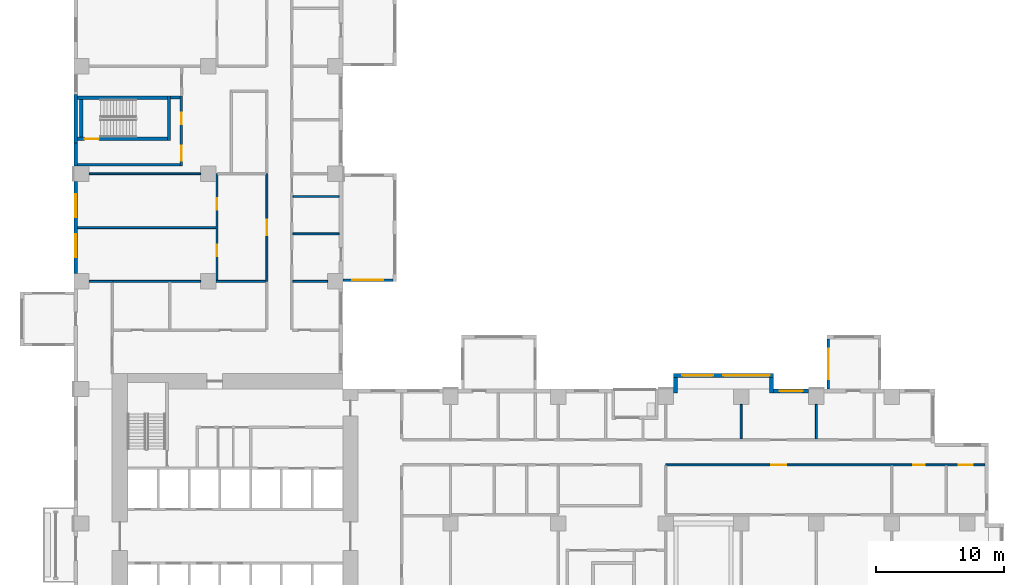
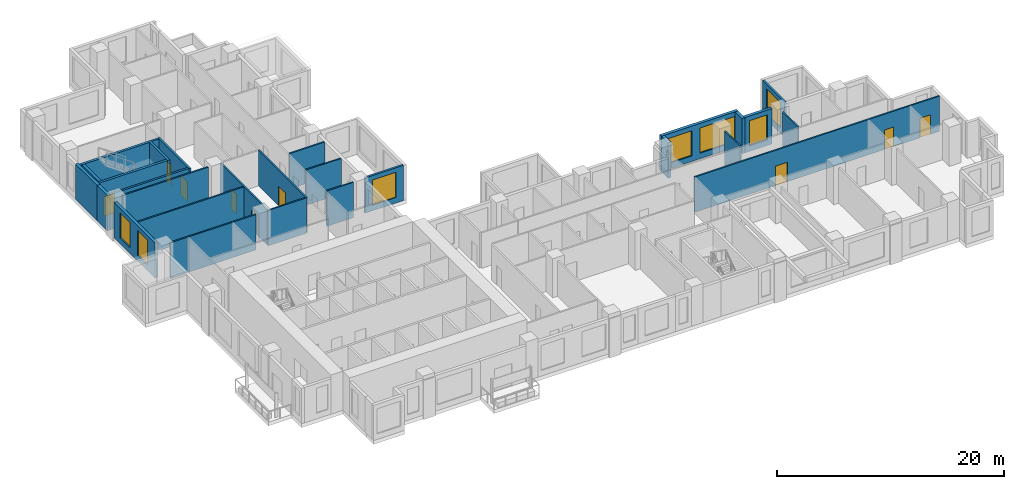
# One storey, part 6 of 14: 29 walls, 9 doors, 7 windows, 16 openings.
"""IFC4 building model written with IfcOpenShell, lengths in metres."""

from ifc_helpers import new_model, si_unit, direction, frame, frame_2d, origin, place, context, subcontext, project, spatial, rectangle, extrude, source, transform, mapped, material, layer, layer_set, type_object, element, fill, save


model = new_model("IFC4")

# Units and contexts
model_context = context("Model", 3, precision=1e-05, world=origin(), true_north=direction((0.0, 1.0)))
body_context = subcontext(model_context, "Body", "Model", "MODEL_VIEW")
ifc_project = project(units=[si_unit("LENGTHUNIT", "METRE"), si_unit("AREAUNIT", "SQUARE_METRE"), si_unit("VOLUMEUNIT", "CUBIC_METRE"), si_unit("PLANEANGLEUNIT", "RADIAN"), si_unit("MASSUNIT", "GRAM", prefix="KILO")], contexts=[model_context])

# Site, building, storey
site_placement = place(None, origin())
site = spatial("IfcSite", under=ifc_project, at=site_placement, CompositionType="ELEMENT")
building_placement = place(site_placement, origin())
building = spatial("IfcBuilding", under=site, at=building_placement, Name="Aurelian Terraces", CompositionType="ELEMENT")
storey_placement = place(building_placement, frame((0.0, 0.0, 90.9)))
storey = spatial("IfcBuildingStorey", under=building, at=storey_placement, Name="L19", CompositionType="ELEMENT", Elevation=90.9)

# Wall, openings, windows
ifc_material_1 = material(Name="Terracotta rainscreen cladding", Category="masonry")
ifc_layer_1 = layer(ifc_material_1, 0.3)
ifc_layer_set_1 = layer_set([ifc_layer_1], Name="EW-300")
wall_type_1 = type_object("IfcWallType", Name="EW-300", PredefinedType="STANDARD", material=ifc_layer_set_1)
wall_1_placement = place(storey_placement, frame((54.6, 22.05, 0.0), z_axis=(0.0, 0.0, 1.0), x_axis=(-1.0, 0.0, 0.0)))
wall_1 = element("IfcWall", 1, at=wall_1_placement, inside=storey, type_object=wall_type_1, Name="Bay wall L19 F07.21", PredefinedType="STANDARD", context=body_context, shape_type="SweptSolid", body=[
    extrude(rectangle(XDim=7.8, YDim=0.3, at=frame_2d((3.9, 0.0))), origin(), (0.0, 0.0, 1.0), 3.8),
])
shared_shape_1 = source(origin(), body_context, "Body", "SweptSolid", [
    extrude(rectangle(XDim=3.6, YDim=2.7, at=frame_2d((1.8, 1.35))), frame((0.0, 0.16, 0.0), z_axis=(0.0, -1.0, 0.0), x_axis=(1.0, 0.0, 0.0)), (0.0, 0.0, 1.0), 0.32),
])
opening_1_placement = place(wall_1_placement, frame((0.3, 0.0, 0.6)))
opening_1 = element("IfcOpeningElement", 2, at=opening_1_placement, cuts=wall_1, Name="Opening W3627", PredefinedType="OPENING", context=body_context, shape_type="MappedRepresentation", body=[
    mapped(shared_shape_1, transform((0.0, 0.0, 0.0), scale=1.0)),
])
shared_shape_2 = source(origin(), body_context, "Body", "SweptSolid", [
    extrude(rectangle(XDim=2.4, YDim=2.7, at=frame_2d((1.2, 1.35))), frame((0.0, 0.16, 0.0), z_axis=(0.0, -1.0, 0.0), x_axis=(1.0, 0.0, 0.0)), (0.0, 0.0, 1.0), 0.32),
])
opening_2_placement = place(wall_1_placement, frame((4.7, 0.0, 0.6)))
opening_2 = element("IfcOpeningElement", 3, at=opening_2_placement, cuts=wall_1, Name="Opening W2427", PredefinedType="OPENING", context=body_context, shape_type="MappedRepresentation", body=[
    mapped(shared_shape_2, transform((0.0, 0.0, 0.0), scale=1.0)),
])
ifc_material_2 = material(Name="Clear glazing", Category="glass")
window_type_1 = type_object("IfcWindowType", Name="W-3600x2700", PartitioningType="SINGLE_PANEL", PredefinedType="WINDOW", material=ifc_material_2)
shared_shape_3 = source(origin(), body_context, "Body", "SweptSolid", [
    extrude(rectangle(XDim=3.6, YDim=2.7, at=frame_2d((1.8, 1.35))), frame((0.0, 0.03, 0.0), z_axis=(0.0, -1.0, 0.0), x_axis=(1.0, 0.0, 0.0)), (0.0, 0.0, 1.0), 0.06),
])
window_1_placement = place(opening_1_placement, origin())
window_1 = element("IfcWindow", 4, at=window_1_placement, inside=storey, type_object=window_type_1, Name="Window L19 L19-F07-21-0", OverallHeight=2.7, OverallWidth=3.6, PartitioningType="SINGLE_PANEL", PredefinedType="WINDOW", context=body_context, shape_type="MappedRepresentation", body=[
    mapped(shared_shape_3, transform((0.0, 0.0, 0.0), scale=1.0)),
])
fill(opening_1, window_1)
window_type_2 = type_object("IfcWindowType", Name="W-2400x2700", PartitioningType="SINGLE_PANEL", PredefinedType="WINDOW", material=ifc_material_2)
shared_shape_4 = source(origin(), body_context, "Body", "SweptSolid", [
    extrude(rectangle(XDim=2.4, YDim=2.7, at=frame_2d((1.2, 1.35))), frame((0.0, 0.03, 0.0), z_axis=(0.0, -1.0, 0.0), x_axis=(1.0, 0.0, 0.0)), (0.0, 0.0, 1.0), 0.06),
])
window_2_placement = place(opening_2_placement, origin())
window_2 = element("IfcWindow", 5, at=window_2_placement, inside=storey, type_object=window_type_2, Name="Window L19 L19-F07-21-1", OverallHeight=2.7, OverallWidth=2.4, PartitioningType="SINGLE_PANEL", PredefinedType="WINDOW", context=body_context, shape_type="MappedRepresentation", body=[
    mapped(shared_shape_4, transform((0.0, 0.0, 0.0), scale=1.0)),
])
fill(opening_2, window_2)

shared_shape_5 = source(origin(), body_context, "Body", "SweptSolid", [
    extrude(rectangle(XDim=7.2, YDim=0.3, at=frame_2d((3.6, 0.0))), origin(), (0.0, 0.0, 1.0), 3.8),
])
wall_2_placement = place(storey_placement, frame((0.15, 37.2, 0.0), z_axis=(0.0, 0.0, 1.0), x_axis=(0.0, -1.0, 0.0)))
wall_2 = element("IfcWall", 6, at=wall_2_placement, inside=storey, type_object=wall_type_1, Name="External wall L19 F14.35", PredefinedType="STANDARD", context=body_context, shape_type="MappedRepresentation", body=[
    mapped(shared_shape_5, transform((0.0, 0.0, 0.0), scale=1.0)),
])
shared_shape_6 = source(origin(), body_context, "Body", "SweptSolid", [
    extrude(rectangle(XDim=1.8, YDim=2.7, at=frame_2d((0.9, 1.35))), frame((0.0, 0.16, 0.0), z_axis=(0.0, -1.0, 0.0), x_axis=(1.0, 0.0, 0.0)), (0.0, 0.0, 1.0), 0.32),
])
opening_3_placement = place(wall_2_placement, frame((1.0075, 0.0, 0.6)))
opening_3 = element("IfcOpeningElement", 7, at=opening_3_placement, cuts=wall_2, Name="Opening W1827", PredefinedType="OPENING", context=body_context, shape_type="MappedRepresentation", body=[
    mapped(shared_shape_6, transform((0.0, 0.0, 0.0), scale=1.0)),
])
opening_4_placement = place(wall_2_placement, frame((4.1037, 0.0, 0.6)))
opening_4 = element("IfcOpeningElement", 8, at=opening_4_placement, cuts=wall_2, Name="Opening W1827", PredefinedType="OPENING", context=body_context, shape_type="MappedRepresentation", body=[
    mapped(shared_shape_6, transform((0.0, 0.0, 0.0), scale=1.0)),
])
window_type_3 = type_object("IfcWindowType", Name="W-1800x2700", PartitioningType="SINGLE_PANEL", PredefinedType="WINDOW", material=ifc_material_2)
shared_shape_7 = source(origin(), body_context, "Body", "SweptSolid", [
    extrude(rectangle(XDim=1.8, YDim=2.7, at=frame_2d((0.9, 1.35))), frame((0.0, 0.03, 0.0), z_axis=(0.0, -1.0, 0.0), x_axis=(1.0, 0.0, 0.0)), (0.0, 0.0, 1.0), 0.06),
])
window_3_placement = place(opening_3_placement, origin())
window_3 = element("IfcWindow", 9, at=window_3_placement, inside=storey, type_object=window_type_3, Name="Window L19 L19-F14-35-4", OverallHeight=2.7, OverallWidth=1.8, PartitioningType="SINGLE_PANEL", PredefinedType="WINDOW", context=body_context, shape_type="MappedRepresentation", body=[
    mapped(shared_shape_7, transform((0.0, 0.0, 0.0), scale=1.0)),
])
fill(opening_3, window_3)
window_4_placement = place(opening_4_placement, origin())
window_4 = element("IfcWindow", 10, at=window_4_placement, inside=storey, type_object=window_type_3, Name="Window L19 L19-F14-35-G5-194", OverallHeight=2.7, OverallWidth=1.8, PartitioningType="SINGLE_PANEL", PredefinedType="WINDOW", context=body_context, shape_type="MappedRepresentation", body=[
    mapped(shared_shape_7, transform((0.0, 0.0, 0.0), scale=1.0)),
])
fill(opening_4, window_4)

# Wall, opening, window
shared_shape_8 = source(origin(), body_context, "Body", "SweptSolid", [
    extrude(rectangle(XDim=2.76, YDim=0.3, at=frame_2d((1.38, 0.0))), origin(), (0.0, 0.0, 1.0), 3.8),
])
wall_3_placement = place(storey_placement, frame((57.36, 20.85, 0.0), z_axis=(0.0, 0.0, 1.0), x_axis=(-1.0, 0.0, 0.0)))
wall_3 = element("IfcWall", 11, at=wall_3_placement, inside=storey, type_object=wall_type_1, Name="External wall L19 F07.20", PredefinedType="STANDARD", context=body_context, shape_type="MappedRepresentation", body=[
    mapped(shared_shape_8, transform((0.0, 0.0, 0.0), scale=1.0)),
])
opening_5_placement = place(wall_3_placement, frame((0.48, 0.0, 0.6)))
opening_5 = element("IfcOpeningElement", 12, at=opening_5_placement, cuts=wall_3, Name="Opening W1827", PredefinedType="OPENING", context=body_context, shape_type="MappedRepresentation", body=[
    mapped(shared_shape_6, transform((0.0, 0.0, 0.0), scale=1.0)),
])
window_5_placement = place(opening_5_placement, origin())
window_5 = element("IfcWindow", 13, at=window_5_placement, inside=storey, type_object=window_type_3, Name="Window L19 L19-F07-20-P2", OverallHeight=2.7, OverallWidth=1.8, PartitioningType="SINGLE_PANEL", PredefinedType="WINDOW", context=body_context, shape_type="MappedRepresentation", body=[
    mapped(shared_shape_7, transform((0.0, 0.0, 0.0), scale=1.0)),
])
fill(opening_5, window_5)

# Walls
shared_shape_9 = source(origin(), body_context, "Body", "SweptSolid", [
    extrude(rectangle(XDim=1.2, YDim=0.3, at=frame_2d((0.6, 0.0))), origin(), (0.0, 0.0, 1.0), 3.8),
])
for number, where, z_axis, x_axis, name in (
    (14, (54.45, 20.7, 0.0), (0.0, 0.0, 1.0), (0.0, 1.0, 0.0), "Bay return L19 F07.21.1"),
    (15, (46.95, 20.7, 0.0), (0.0, 0.0, 1.0), (0.0, 1.0, 0.0), "Bay return L19 F07.21.2"),
):
    element("IfcWall", number, at=place(storey_placement, frame(where, z_axis=z_axis, x_axis=x_axis)), inside=storey, type_object=wall_type_1, Name=name, PredefinedType="STANDARD", context=body_context, shape_type="MappedRepresentation", body=[
        mapped(shared_shape_9, transform((0.0, 0.0, 0.0), scale=1.0)),
    ])
ifc_material_3 = material(Name="Concrete fc' 40 MPa", Category="concrete")
ifc_layer_2 = layer(ifc_material_3, 0.3)
ifc_layer_set_2 = layer_set([ifc_layer_2], Name="STAIR BAY WALL 300")
wall_type_2 = type_object("IfcWallType", Name="STAIR BAY WALL 300", PredefinedType="SOLIDWALL", material=ifc_layer_set_2)
shared_shape_10 = source(origin(), body_context, "Body", "SweptSolid", [
    extrude(rectangle(XDim=3.8, YDim=0.3, at=frame_2d((1.9, 0.0))), origin(), (0.0, 0.0, 1.0), 3.8),
])
wall_4_placement = place(storey_placement, frame((0.15, 44.0, 0.0), z_axis=(0.0, 0.0, 1.0), x_axis=(0.0, -1.0, 0.0)))
element("IfcWall", 16, at=wall_4_placement, inside=storey, type_object=wall_type_2, Name="Stair bay wall L19 F14.35", PredefinedType="SOLIDWALL", context=body_context, shape_type="MappedRepresentation", body=[
    mapped(shared_shape_10, transform((0.0, 0.0, 0.0), scale=1.0)),
])
shared_shape_11 = source(origin(), body_context, "Body", "SweptSolid", [
    extrude(rectangle(XDim=1.8, YDim=0.3, at=frame_2d((0.9, 0.0))), origin(), (0.0, 0.0, 1.0), 3.8),
])
wall_5_placement = place(storey_placement, frame((0.15, 40.2, 0.0), z_axis=(0.0, 0.0, 1.0), x_axis=(0.0, -1.0, 0.0)))
element("IfcWall", 17, at=wall_5_placement, inside=storey, type_object=wall_type_1, Name="External wall L19 F14.35", PredefinedType="STANDARD", context=body_context, shape_type="MappedRepresentation", body=[
    mapped(shared_shape_11, transform((0.0, 0.0, 0.0), scale=1.0)),
])

# Wall, opening, window
ifc_layer_3 = layer(ifc_material_3, 0.2)
ifc_layer_set_3 = layer_set([ifc_layer_3], Name="BOX BEARING WALL 200")
wall_type_3 = type_object("IfcWallType", Name="BOX BEARING WALL 200", PredefinedType="SOLIDWALL", material=ifc_layer_set_3)
shared_shape_12 = source(origin(), body_context, "Body", "SweptSolid", [
    extrude(rectangle(XDim=3.9, YDim=0.2, at=frame_2d((1.95, 0.0))), origin(), (0.0, 0.0, 1.0), 3.79),
])
wall_6_placement = place(storey_placement, frame((58.9, 21.0, 0.0), z_axis=(0.0, 0.0, 1.0), x_axis=(0.0, 1.0, 0.0)))
wall_6 = element("IfcWall", 18, at=wall_6_placement, inside=storey, type_object=wall_type_3, Name="Box return L19 J26.2", PredefinedType="SOLIDWALL", context=body_context, shape_type="MappedRepresentation", body=[
    mapped(shared_shape_12, transform((0.0, 0.0, 0.0), scale=1.0)),
])
shared_shape_13 = source(origin(), body_context, "Body", "SweptSolid", [
    extrude(rectangle(XDim=2.4, YDim=2.7, at=frame_2d((1.2, 1.35))), frame((0.0, 0.11, 0.0), z_axis=(0.0, -1.0, 0.0), x_axis=(1.0, 0.0, 0.0)), (0.0, 0.0, 1.0), 0.22),
])
opening_6_placement = place(wall_6_placement, frame((0.75, 0.0, 0.6)))
opening_6 = element("IfcOpeningElement", 19, at=opening_6_placement, cuts=wall_6, Name="Opening W2427", PredefinedType="OPENING", context=body_context, shape_type="MappedRepresentation", body=[
    mapped(shared_shape_13, transform((0.0, 0.0, 0.0), scale=1.0)),
])
window_6_placement = place(opening_6_placement, origin())
window_6 = element("IfcWindow", 20, at=window_6_placement, inside=storey, type_object=window_type_2, Name="Window L19 J26-S2", OverallHeight=2.7, OverallWidth=2.4, PartitioningType="SINGLE_PANEL", PredefinedType="WINDOW", context=body_context, shape_type="MappedRepresentation", body=[
    mapped(shared_shape_4, transform((0.0, 0.0, 0.0), scale=1.0)),
])
fill(opening_6, window_6)

wall_7_placement = place(storey_placement, frame((21.0, 29.5, 0.0), z_axis=(0.0, 0.0, 1.0), x_axis=(1.0, 0.0, 0.0)))
wall_7 = element("IfcWall", 21, at=wall_7_placement, inside=storey, type_object=wall_type_3, Name="Box return L19 J27.1", PredefinedType="SOLIDWALL", context=body_context, shape_type="MappedRepresentation", body=[
    mapped(shared_shape_12, transform((0.0, 0.0, 0.0), scale=1.0)),
])
opening_7_placement = place(wall_7_placement, frame((0.75, 0.0, 0.6)))
opening_7 = element("IfcOpeningElement", 22, at=opening_7_placement, cuts=wall_7, Name="Opening W2427", PredefinedType="OPENING", context=body_context, shape_type="MappedRepresentation", body=[
    mapped(shared_shape_13, transform((0.0, 0.0, 0.0), scale=1.0)),
])
window_7_placement = place(opening_7_placement, origin())
window_7 = element("IfcWindow", 23, at=window_7_placement, inside=storey, type_object=window_type_2, Name="Window L19 J27-S1", OverallHeight=2.7, OverallWidth=2.4, PartitioningType="SINGLE_PANEL", PredefinedType="WINDOW", context=body_context, shape_type="MappedRepresentation", body=[
    mapped(shared_shape_4, transform((0.0, 0.0, 0.0), scale=1.0)),
])
fill(opening_7, window_7)

# Wall, opening, door
ifc_layer_4 = layer(ifc_material_3, 0.25)
ifc_layer_set_4 = layer_set([ifc_layer_4], Name="Stair enclosure wall 250")
wall_type_4 = type_object("IfcWallType", Name="Stair enclosure wall 250", PredefinedType="SOLIDWALL", material=ifc_layer_set_4)
shared_shape_14 = source(origin(), body_context, "Body", "SweptSolid", [
    extrude(rectangle(XDim=7.0, YDim=0.25, at=frame_2d((3.5, 0.0))), origin(), (0.0, 0.0, 1.0), 3.8),
])
wall_8_placement = place(storey_placement, frame((0.3, 40.525, 0.0), z_axis=(0.0, 0.0, 1.0), x_axis=(1.0, 0.0, 0.0)))
wall_8 = element("IfcWall", 24, at=wall_8_placement, inside=storey, type_object=wall_type_4, Name="L19 core wall ST-S3-W", PredefinedType="SOLIDWALL", context=body_context, shape_type="MappedRepresentation", body=[
    mapped(shared_shape_14, transform((0.0, 0.0, 0.0), scale=1.0)),
])
shared_shape_15 = source(origin(), body_context, "Body", "SweptSolid", [
    extrude(rectangle(XDim=1.1, YDim=2.1, at=frame_2d((0.55, 1.05))), frame((0.0, 0.135, 0.0), z_axis=(0.0, -1.0, 0.0), x_axis=(1.0, 0.0, 0.0)), (0.0, 0.0, 1.0), 0.27),
])
opening_8_placement = place(wall_8_placement, frame((0.55, 0.0, 0.0)))
opening_8 = element("IfcOpeningElement", 25, at=opening_8_placement, cuts=wall_8, Name="Opening 62218", PredefinedType="OPENING", context=body_context, shape_type="MappedRepresentation", body=[
    mapped(shared_shape_15, transform((0.0, 0.0, 0.0), scale=1.0)),
])
ifc_material_4 = material(Name="Steel door leaf", Category="steel")
door_type_1 = type_object("IfcDoorType", Name="Core fire door 1100x2100", OperationType="SINGLE_SWING_LEFT", PredefinedType="DOOR", material=ifc_material_4)
shared_shape_16 = source(origin(), body_context, "Body", "SweptSolid", [
    extrude(rectangle(XDim=1.1, YDim=2.1, at=frame_2d((0.55, 1.05))), frame((0.0, 0.025, 0.0), z_axis=(0.0, -1.0, 0.0), x_axis=(1.0, 0.0, 0.0)), (0.0, 0.0, 1.0), 0.05),
])
door_1_placement = place(opening_8_placement, origin())
door_1 = element("IfcDoor", 26, at=door_1_placement, inside=storey, type_object=door_type_1, Name="Stair door 62218", OperationType="SINGLE_SWING_LEFT", OverallHeight=2.1, OverallWidth=1.1, PredefinedType="DOOR", context=body_context, shape_type="MappedRepresentation", body=[
    mapped(shared_shape_16, transform((0.0, 0.0, 0.0), scale=1.0)),
])
fill(opening_8, door_1)

# Walls
wall_9_placement = place(storey_placement, frame((0.3, 43.725, 0.0), z_axis=(0.0, 0.0, 1.0), x_axis=(1.0, 0.0, 0.0)))
element("IfcWall", 27, at=wall_9_placement, inside=storey, type_object=wall_type_4, Name="L19 core wall ST-S3-E", PredefinedType="SOLIDWALL", context=body_context, shape_type="MappedRepresentation", body=[
    mapped(shared_shape_14, transform((0.0, 0.0, 0.0), scale=1.0)),
])
shared_shape_17 = source(origin(), body_context, "Body", "SweptSolid", [
    extrude(rectangle(XDim=3.45, YDim=0.25, at=frame_2d((1.725, 0.0))), origin(), (0.0, 0.0, 1.0), 3.8),
])
wall_10_placement = place(storey_placement, frame((7.425, 40.4, 0.0), z_axis=(0.0, 0.0, 1.0), x_axis=(0.0, 1.0, 0.0)))
element("IfcWall", 28, at=wall_10_placement, inside=storey, type_object=wall_type_4, Name="L19 core wall ST-S3-N", PredefinedType="SOLIDWALL", context=body_context, shape_type="MappedRepresentation", body=[
    mapped(shared_shape_17, transform((0.0, 0.0, 0.0), scale=1.0)),
])
shared_shape_18 = source(origin(), body_context, "Body", "SweptSolid", [
    extrude(rectangle(XDim=2.95, YDim=0.25, at=frame_2d((1.475, 0.0))), origin(), (0.0, 0.0, 1.0), 3.8),
])
wall_11_placement = place(storey_placement, frame((0.575, 40.65, 0.0), z_axis=(0.0, 0.0, 1.0), x_axis=(0.0, 1.0, 0.0)))
element("IfcWall", 29, at=wall_11_placement, inside=storey, type_object=wall_type_4, Name="L19 core wall ST-S3-SS", PredefinedType="SOLIDWALL", context=body_context, shape_type="MappedRepresentation", body=[
    mapped(shared_shape_18, transform((0.0, 0.0, 0.0), scale=1.0)),
])
ifc_material_5 = material(Name="Gypsum board on steel studs", Category="steel")
ifc_layer_5 = layer(ifc_material_5, 0.2)
ifc_layer_set_5 = layer_set([ifc_layer_5], Name="Core partition 200")
wall_type_5 = type_object("IfcWallType", Name="Core partition 200", PredefinedType="PARTITIONING", material=ifc_layer_set_5)
shared_shape_19 = source(origin(), body_context, "Body", "SweptSolid", [
    extrude(rectangle(XDim=8.0, YDim=0.2, at=frame_2d((4.0, 0.0))), origin(), (0.0, 0.0, 1.0), 3.8),
])
wall_12_placement = place(storey_placement, frame((0.3, 38.5, 0.0), z_axis=(0.0, 0.0, 1.0), x_axis=(1.0, 0.0, 0.0)))
element("IfcWall", 30, at=wall_12_placement, inside=storey, type_object=wall_type_5, Name="L19 core wall ST-S3-VW", PredefinedType="PARTITIONING", context=body_context, shape_type="MappedRepresentation", body=[
    mapped(shared_shape_19, transform((0.0, 0.0, 0.0), scale=1.0)),
])

# Wall, openings, doors
shared_shape_20 = source(origin(), body_context, "Body", "SweptSolid", [
    extrude(rectangle(XDim=5.45, YDim=0.2, at=frame_2d((2.725, 0.0))), origin(), (0.0, 0.0, 1.0), 3.8),
])
wall_13_placement = place(storey_placement, frame((8.4, 38.4, 0.0), z_axis=(0.0, 0.0, 1.0), x_axis=(0.0, 1.0, 0.0)))
wall_13 = element("IfcWall", 31, at=wall_13_placement, inside=storey, type_object=wall_type_5, Name="L19 core wall ST-S3-BN", PredefinedType="PARTITIONING", context=body_context, shape_type="MappedRepresentation", body=[
    mapped(shared_shape_20, transform((0.0, 0.0, 0.0), scale=1.0)),
])
shared_shape_21 = source(origin(), body_context, "Body", "SweptSolid", [
    extrude(rectangle(XDim=1.2, YDim=2.1, at=frame_2d((0.6, 1.05))), frame((0.0, 0.11, 0.0), z_axis=(0.0, -1.0, 0.0), x_axis=(1.0, 0.0, 0.0)), (0.0, 0.0, 1.0), 0.22),
])
opening_9_placement = place(wall_13_placement, frame((0.4, 0.0, 0.0)))
opening_9 = element("IfcOpeningElement", 32, at=opening_9_placement, cuts=wall_13, Name="Opening 62219", PredefinedType="OPENING", context=body_context, shape_type="MappedRepresentation", body=[
    mapped(shared_shape_21, transform((0.0, 0.0, 0.0), scale=1.0)),
])
shared_shape_22 = source(origin(), body_context, "Body", "SweptSolid", [
    extrude(rectangle(XDim=0.9, YDim=2.1, at=frame_2d((0.45, 1.05))), frame((0.0, 0.11, 0.0), z_axis=(0.0, -1.0, 0.0), x_axis=(1.0, 0.0, 0.0)), (0.0, 0.0, 1.0), 0.22),
])
opening_10_placement = place(wall_13_placement, frame((3.25, 0.0, 0.0)))
opening_10 = element("IfcOpeningElement", 33, at=opening_10_placement, cuts=wall_13, Name="Opening 62220", PredefinedType="OPENING", context=body_context, shape_type="MappedRepresentation", body=[
    mapped(shared_shape_22, transform((0.0, 0.0, 0.0), scale=1.0)),
])
door_type_2 = type_object("IfcDoorType", Name="Core riser door 900x2100", OperationType="SINGLE_SWING_LEFT", PredefinedType="DOOR", material=ifc_material_4)
shared_shape_23 = source(origin(), body_context, "Body", "SweptSolid", [
    extrude(rectangle(XDim=0.9, YDim=2.1, at=frame_2d((0.45, 1.05))), frame((0.0, 0.025, 0.0), z_axis=(0.0, -1.0, 0.0), x_axis=(1.0, 0.0, 0.0)), (0.0, 0.0, 1.0), 0.05),
])
door_2_placement = place(opening_10_placement, origin())
door_2 = element("IfcDoor", 34, at=door_2_placement, inside=storey, type_object=door_type_2, Name="Riser door 62220", OperationType="SINGLE_SWING_LEFT", OverallHeight=2.1, OverallWidth=0.9, PredefinedType="DOOR", context=body_context, shape_type="MappedRepresentation", body=[
    mapped(shared_shape_23, transform((0.0, 0.0, 0.0), scale=1.0)),
])
fill(opening_10, door_2)
door_type_3 = type_object("IfcDoorType", Name="Core fire door 1200x2100 right", OperationType="SINGLE_SWING_RIGHT", PredefinedType="DOOR", material=ifc_material_4)
shared_shape_24 = source(origin(), body_context, "Body", "SweptSolid", [
    extrude(rectangle(XDim=1.2, YDim=2.1, at=frame_2d((0.6, 1.05))), frame((0.0, 0.025, 0.0), z_axis=(0.0, -1.0, 0.0), x_axis=(1.0, 0.0, 0.0)), (0.0, 0.0, 1.0), 0.05),
])
door_3_placement = place(opening_9_placement, origin())
door_3 = element("IfcDoor", 35, at=door_3_placement, inside=storey, type_object=door_type_3, Name="Vestibule door 62219", OperationType="SINGLE_SWING_RIGHT", OverallHeight=2.1, OverallWidth=1.2, PredefinedType="DOOR", context=body_context, shape_type="MappedRepresentation", body=[
    mapped(shared_shape_24, transform((0.0, 0.0, 0.0), scale=1.0)),
])
fill(opening_9, door_3)

# Walls
shared_shape_25 = source(origin(), body_context, "Body", "SweptSolid", [
    extrude(rectangle(XDim=0.75, YDim=0.2, at=frame_2d((0.375, 0.0))), origin(), (0.0, 0.0, 1.0), 3.8),
])
wall_14_placement = place(storey_placement, frame((7.55, 43.75, 0.0), z_axis=(0.0, 0.0, 1.0), x_axis=(1.0, 0.0, 0.0)))
element("IfcWall", 36, at=wall_14_placement, inside=storey, type_object=wall_type_5, Name="L19 core wall ST-S3-RE", PredefinedType="PARTITIONING", context=body_context, shape_type="MappedRepresentation", body=[
    mapped(shared_shape_25, transform((0.0, 0.0, 0.0), scale=1.0)),
])
ifc_layer_6 = layer(ifc_material_5, 0.15)
ifc_layer_set_6 = layer_set([ifc_layer_6], Name="Partition 150")
wall_type_6 = type_object("IfcWallType", Name="Partition 150", PredefinedType="PARTITIONING", material=ifc_layer_set_6)
shared_shape_26 = source(origin(), body_context, "Body", "SweptSolid", [
    extrude(rectangle(XDim=8.702, YDim=0.15, at=frame_2d((4.351, 0.0))), origin(), (0.0, 0.0, 1.0), 3.8),
])
wall_15_placement = place(storey_placement, frame((9.901, 37.8, 0.0), z_axis=(0.0, 0.0, 1.0), x_axis=(-1.0, 0.0, 0.0)))
element("IfcWall", 37, at=wall_15_placement, inside=storey, type_object=wall_type_6, Name="Partition", PredefinedType="PARTITIONING", context=body_context, shape_type="MappedRepresentation", body=[
    mapped(shared_shape_26, transform((0.0, 0.0, 0.0), scale=1.0)),
])
shared_shape_27 = source(origin(), body_context, "Body", "SweptSolid", [
    extrude(rectangle(XDim=3.6, YDim=0.15, at=frame_2d((1.8, 0.0))), origin(), (0.0, 0.0, 1.0), 3.8),
])
for number, where, z_axis, x_axis, name in (
    (38, (17.1, 33.1133, 0.0), (0.0, 0.0, 1.0), (1.0, 0.0, 0.0), "Partition"),
    (39, (17.1, 36.024, 0.0), (0.0, 0.0, 1.0), (1.0, 0.0, 0.0), "Partition"),
):
    element("IfcWall", number, at=place(storey_placement, frame(where, z_axis=z_axis, x_axis=x_axis)), inside=storey, type_object=wall_type_6, Name=name, PredefinedType="PARTITIONING", context=body_context, shape_type="MappedRepresentation", body=[
        mapped(shared_shape_27, transform((0.0, 0.0, 0.0), scale=1.0)),
    ])
shared_shape_28 = source(origin(), body_context, "Body", "SweptSolid", [
    extrude(rectangle(XDim=2.701, YDim=0.15, at=frame_2d((1.3505, 0.0))), origin(), (0.0, 0.0, 1.0), 3.8),
])
for number, where, z_axis, x_axis, name in (
    (40, (52.08, 19.801, 0.0), (0.0, 0.0, 1.0), (0.0, -1.0, 0.0), "Partition"),
    (41, (57.96, 17.1, 0.0), (0.0, 0.0, 1.0), (0.0, 1.0, 0.0), "Partition"),
    (42, (19.801, 29.4, 0.0), (0.0, 0.0, 1.0), (-1.0, 0.0, 0.0), "Partition"),
):
    element("IfcWall", number, at=place(storey_placement, frame(where, z_axis=z_axis, x_axis=x_axis)), inside=storey, type_object=wall_type_6, Name=name, PredefinedType="PARTITIONING", context=body_context, shape_type="MappedRepresentation", body=[
        mapped(shared_shape_28, transform((0.0, 0.0, 0.0), scale=1.0)),
    ])

# Wall, openings, doors
shared_shape_29 = source(origin(), body_context, "Body", "SweptSolid", [
    extrude(rectangle(XDim=8.4, YDim=0.15, at=frame_2d((4.2, 0.0))), origin(), (0.0, 0.0, 1.0), 3.8),
])
wall_16_placement = place(storey_placement, frame((11.175, 29.4, 0.0), z_axis=(0.0, 0.0, 1.0), x_axis=(0.0, 1.0, 0.0)))
wall_16 = element("IfcWall", 43, at=wall_16_placement, inside=storey, type_object=wall_type_6, Name="Partition", PredefinedType="PARTITIONING", context=body_context, shape_type="MappedRepresentation", body=[
    mapped(shared_shape_29, transform((0.0, 0.0, 0.0), scale=1.0)),
])
shared_shape_30 = source(origin(), body_context, "Body", "SweptSolid", [
    extrude(rectangle(XDim=0.9, YDim=2.1, at=frame_2d((0.45, 1.05))), frame((0.0, 0.085, 0.0), z_axis=(0.0, -1.0, 0.0), x_axis=(1.0, 0.0, 0.0)), (0.0, 0.0, 1.0), 0.17),
])
opening_11_placement = place(wall_16_placement, frame((1.9625, 0.0, 0.0)))
opening_11 = element("IfcOpeningElement", 44, at=opening_11_placement, cuts=wall_16, Name="Opening 719034", PredefinedType="OPENING", context=body_context, shape_type="MappedRepresentation", body=[
    mapped(shared_shape_30, transform((0.0, 0.0, 0.0), scale=1.0)),
])
opening_12_placement = place(wall_16_placement, frame((5.5875, 0.0, 0.0)))
opening_12 = element("IfcOpeningElement", 45, at=opening_12_placement, cuts=wall_16, Name="Opening 719035", PredefinedType="OPENING", context=body_context, shape_type="MappedRepresentation", body=[
    mapped(shared_shape_30, transform((0.0, 0.0, 0.0), scale=1.0)),
])
ifc_material_6 = material(Name="Timber door leaf", Category="wood")
door_type_4 = type_object("IfcDoorType", Name="Room door 900x2100 right", OperationType="SINGLE_SWING_RIGHT", PredefinedType="DOOR", material=ifc_material_6)
door_4_placement = place(opening_11_placement, origin())
door_4 = element("IfcDoor", 46, at=door_4_placement, inside=storey, type_object=door_type_4, Name="Door 719034", OperationType="SINGLE_SWING_RIGHT", OverallHeight=2.1, OverallWidth=0.9, PredefinedType="DOOR", context=body_context, shape_type="MappedRepresentation", body=[
    mapped(shared_shape_23, transform((0.0, 0.0, 0.0), scale=1.0)),
])
fill(opening_11, door_4)
door_type_5 = type_object("IfcDoorType", Name="Room door 900x2100 left", OperationType="SINGLE_SWING_LEFT", PredefinedType="DOOR", material=ifc_material_6)
door_5_placement = place(opening_12_placement, origin())
door_5 = element("IfcDoor", 47, at=door_5_placement, inside=storey, type_object=door_type_5, Name="Door 719035", OperationType="SINGLE_SWING_LEFT", OverallHeight=2.1, OverallWidth=0.9, PredefinedType="DOOR", context=body_context, shape_type="MappedRepresentation", body=[
    mapped(shared_shape_23, transform((0.0, 0.0, 0.0), scale=1.0)),
])
fill(opening_12, door_5)

# Wall, opening, door
ifc_layer_7 = layer(ifc_material_5, 0.15)
ifc_layer_set_7 = layer_set([ifc_layer_7], Name="Fire partition 150")
wall_type_7 = type_object("IfcWallType", Name="Fire partition 150", PredefinedType="PARTITIONING", material=ifc_layer_set_7)
wall_17_placement = place(storey_placement, frame((15.075, 29.4, 0.0), z_axis=(0.0, 0.0, 1.0), x_axis=(0.0, 1.0, 0.0)))
wall_17 = element("IfcWall", 48, at=wall_17_placement, inside=storey, type_object=wall_type_7, Name="Corridor wall", PredefinedType="PARTITIONING", context=body_context, shape_type="MappedRepresentation", body=[
    mapped(shared_shape_29, transform((0.0, 0.0, 0.0), scale=1.0)),
])
shared_shape_31 = source(origin(), body_context, "Body", "SweptSolid", [
    extrude(rectangle(XDim=1.2, YDim=2.1, at=frame_2d((0.6, 1.05))), frame((0.0, 0.085, 0.0), z_axis=(0.0, -1.0, 0.0), x_axis=(1.0, 0.0, 0.0)), (0.0, 0.0, 1.0), 0.17),
])
opening_13_placement = place(wall_17_placement, frame((3.6, 0.0, 0.0)))
opening_13 = element("IfcOpeningElement", 49, at=opening_13_placement, cuts=wall_17, Name="Opening 719033", PredefinedType="OPENING", context=body_context, shape_type="MappedRepresentation", body=[
    mapped(shared_shape_31, transform((0.0, 0.0, 0.0), scale=1.0)),
])
door_type_6 = type_object("IfcDoorType", Name="Room door 1200x2100 left", OperationType="SINGLE_SWING_LEFT", PredefinedType="DOOR", material=ifc_material_6)
door_6_placement = place(opening_13_placement, origin())
door_6 = element("IfcDoor", 50, at=door_6_placement, inside=storey, type_object=door_type_6, Name="Door 719033", OperationType="SINGLE_SWING_LEFT", OverallHeight=2.1, OverallWidth=1.2, PredefinedType="DOOR", context=body_context, shape_type="MappedRepresentation", body=[
    mapped(shared_shape_24, transform((0.0, 0.0, 0.0), scale=1.0)),
])
fill(opening_13, door_6)

# Wall, openings, doors
shared_shape_32 = source(origin(), body_context, "Body", "SweptSolid", [
    extrude(rectangle(XDim=24.9, YDim=0.15, at=frame_2d((12.45, 0.0))), origin(), (0.0, 0.0, 1.0), 3.8),
])
wall_18_placement = place(storey_placement, frame((71.1, 15.075, 0.0), z_axis=(0.0, 0.0, 1.0), x_axis=(-1.0, 0.0, 0.0)))
wall_18 = element("IfcWall", 51, at=wall_18_placement, inside=storey, type_object=wall_type_7, Name="Corridor wall", PredefinedType="PARTITIONING", context=body_context, shape_type="MappedRepresentation", body=[
    mapped(shared_shape_32, transform((0.0, 0.0, 0.0), scale=1.0)),
])
opening_14_placement = place(wall_18_placement, frame((15.48, 0.0, 0.0)))
opening_14 = element("IfcOpeningElement", 52, at=opening_14_placement, cuts=wall_18, Name="Opening 719011", PredefinedType="OPENING", context=body_context, shape_type="MappedRepresentation", body=[
    mapped(shared_shape_31, transform((0.0, 0.0, 0.0), scale=1.0)),
])
shared_shape_33 = source(origin(), body_context, "Body", "SweptSolid", [
    extrude(rectangle(XDim=1.1, YDim=2.1, at=frame_2d((0.55, 1.05))), frame((0.0, 0.085, 0.0), z_axis=(0.0, -1.0, 0.0), x_axis=(1.0, 0.0, 0.0)), (0.0, 0.0, 1.0), 0.17),
])
opening_15_placement = place(wall_18_placement, frame((0.9214, 0.0, 0.0)))
opening_15 = element("IfcOpeningElement", 53, at=opening_15_placement, cuts=wall_18, Name="Opening 719015", PredefinedType="OPENING", context=body_context, shape_type="MappedRepresentation", body=[
    mapped(shared_shape_33, transform((0.0, 0.0, 0.0), scale=1.0)),
])
opening_16_placement = place(wall_18_placement, frame((4.6889, 0.0, 0.0)))
opening_16 = element("IfcOpeningElement", 54, at=opening_16_placement, cuts=wall_18, Name="Opening 719016", PredefinedType="OPENING", context=body_context, shape_type="MappedRepresentation", body=[
    mapped(shared_shape_30, transform((0.0, 0.0, 0.0), scale=1.0)),
])
door_7_placement = place(opening_16_placement, origin())
door_7 = element("IfcDoor", 55, at=door_7_placement, inside=storey, type_object=door_type_5, Name="Door 719016", OperationType="SINGLE_SWING_LEFT", OverallHeight=2.1, OverallWidth=0.9, PredefinedType="DOOR", context=body_context, shape_type="MappedRepresentation", body=[
    mapped(shared_shape_23, transform((0.0, 0.0, 0.0), scale=1.0)),
])
fill(opening_16, door_7)
door_type_7 = type_object("IfcDoorType", Name="Room door 1100x2100 left", OperationType="SINGLE_SWING_LEFT", PredefinedType="DOOR", material=ifc_material_6)
door_8_placement = place(opening_15_placement, origin())
door_8 = element("IfcDoor", 56, at=door_8_placement, inside=storey, type_object=door_type_7, Name="Door 719015", OperationType="SINGLE_SWING_LEFT", OverallHeight=2.1, OverallWidth=1.1, PredefinedType="DOOR", context=body_context, shape_type="MappedRepresentation", body=[
    mapped(shared_shape_16, transform((0.0, 0.0, 0.0), scale=1.0)),
])
fill(opening_15, door_8)
door_9_placement = place(opening_14_placement, origin())
door_9 = element("IfcDoor", 57, at=door_9_placement, inside=storey, type_object=door_type_6, Name="Door 719011", OperationType="SINGLE_SWING_LEFT", OverallHeight=2.1, OverallWidth=1.2, PredefinedType="DOOR", context=body_context, shape_type="MappedRepresentation", body=[
    mapped(shared_shape_24, transform((0.0, 0.0, 0.0), scale=1.0)),
])
fill(opening_14, door_9)

# Walls
shared_shape_34 = source(origin(), body_context, "Body", "SweptSolid", [
    extrude(rectangle(XDim=6.826, YDim=0.15, at=frame_2d((3.413, 0.0))), origin(), (0.0, 0.0, 1.0), 3.8),
])
wall_19_placement = place(storey_placement, frame((9.901, 29.4, 0.0), z_axis=(0.0, 0.0, 1.0), x_axis=(-1.0, 0.0, 0.0)))
element("IfcWall", 58, at=wall_19_placement, inside=storey, type_object=wall_type_6, Name="Partition", PredefinedType="PARTITIONING", context=body_context, shape_type="MappedRepresentation", body=[
    mapped(shared_shape_34, transform((0.0, 0.0, 0.0), scale=1.0)),
])
shared_shape_35 = source(origin(), body_context, "Body", "SweptSolid", [
    extrude(rectangle(XDim=3.901, YDim=0.15, at=frame_2d((1.9505, 0.0))), origin(), (0.0, 0.0, 1.0), 3.8),
])
wall_20_placement = place(storey_placement, frame((15.0, 29.4, 0.0), z_axis=(0.0, 0.0, 1.0), x_axis=(-1.0, 0.0, 0.0)))
element("IfcWall", 59, at=wall_20_placement, inside=storey, type_object=wall_type_6, Name="Partition", PredefinedType="PARTITIONING", context=body_context, shape_type="MappedRepresentation", body=[
    mapped(shared_shape_35, transform((0.0, 0.0, 0.0), scale=1.0)),
])
shared_shape_36 = source(origin(), body_context, "Body", "SweptSolid", [
    extrude(rectangle(XDim=1.856, YDim=0.15, at=frame_2d((0.928, 0.0))), origin(), (0.0, 0.0, 1.0), 3.8),
])
wall_21_placement = place(storey_placement, frame((3.055, 29.4, 0.0), z_axis=(0.0, 0.0, 1.0), x_axis=(-1.0, 0.0, 0.0)))
element("IfcWall", 60, at=wall_21_placement, inside=storey, type_object=wall_type_6, Name="Partition", PredefinedType="PARTITIONING", context=body_context, shape_type="MappedRepresentation", body=[
    mapped(shared_shape_36, transform((0.0, 0.0, 0.0), scale=1.0)),
])
shared_shape_37 = source(origin(), body_context, "Body", "SweptSolid", [
    extrude(rectangle(XDim=10.8, YDim=0.15, at=frame_2d((5.4, 0.0))), origin(), (0.0, 0.0, 1.0), 3.8),
])
wall_22_placement = place(storey_placement, frame((11.1, 33.6, 0.0), z_axis=(0.0, 0.0, 1.0), x_axis=(-1.0, 0.0, 0.0)))
element("IfcWall", 61, at=wall_22_placement, inside=storey, type_object=wall_type_6, Name="Partition", PredefinedType="PARTITIONING", context=body_context, shape_type="MappedRepresentation", body=[
    mapped(shared_shape_37, transform((0.0, 0.0, 0.0), scale=1.0)),
])

save(model, "model.ifc")
